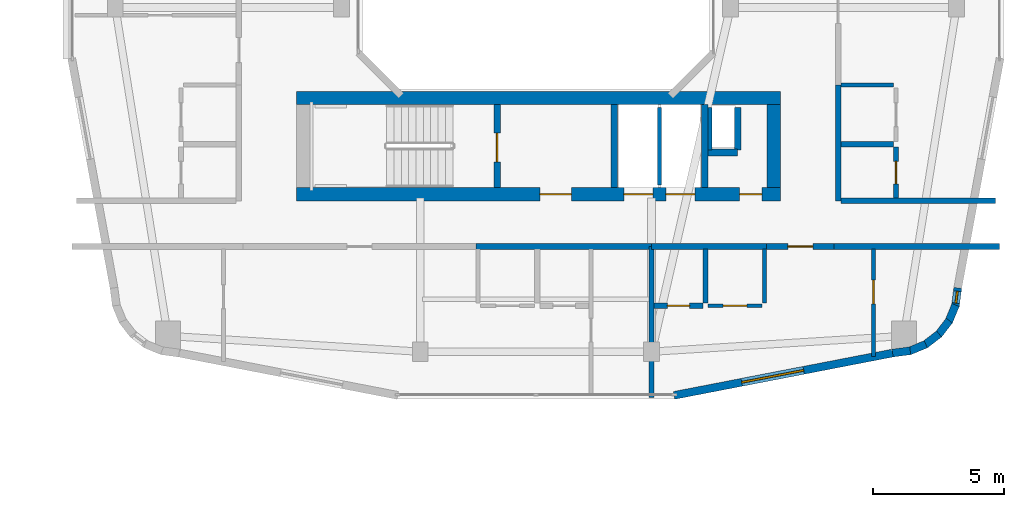
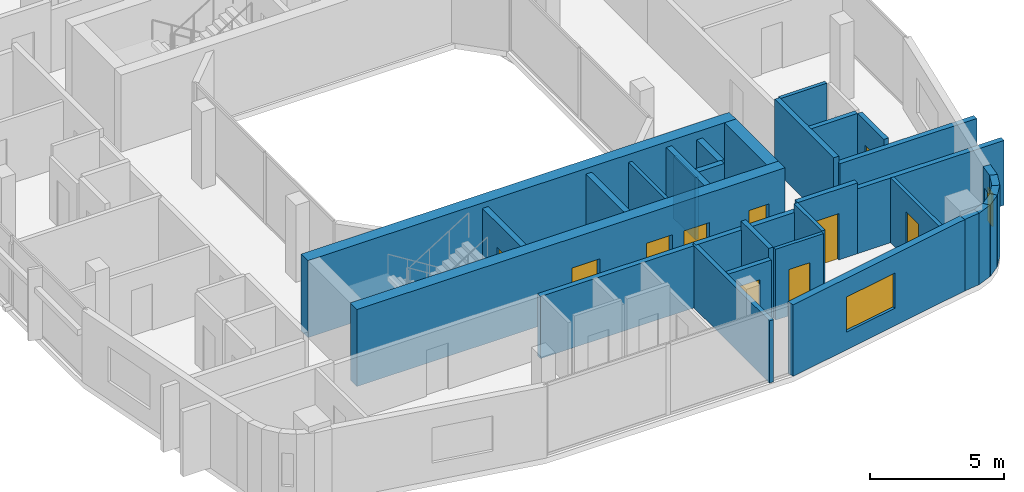
# One storey, part 17 of 25: 32 walls, 10 doors, 2 windows, 12 openings.
"""IFC4 building model written with IfcOpenShell, lengths in metres."""

from ifc_helpers import new_model, si_unit, derived_unit, direction, frame, frame_2d, origin, place, context, subcontext, project, spatial, rectangle, extrude, material, layer, layer_set, type_object, element, fill, save


model = new_model("IFC4")

# Units and contexts
model_context = context("Model", 3, precision=1e-05, world=origin(), true_north=direction((0.0, 1.0)))
body_context = subcontext(model_context, "Body", "Model", "MODEL_VIEW")
ifc_project = project(units=[si_unit("LENGTHUNIT", "METRE"), si_unit("AREAUNIT", "SQUARE_METRE"), si_unit("VOLUMEUNIT", "CUBIC_METRE"), si_unit("PLANEANGLEUNIT", "RADIAN"), si_unit("MASSUNIT", "GRAM", prefix="KILO"), derived_unit("THERMALTRANSMITTANCEUNIT", [(si_unit("POWERUNIT", "WATT"), 1), (si_unit("LENGTHUNIT", "METRE"), -2), (si_unit("THERMODYNAMICTEMPERATUREUNIT", "KELVIN"), -1)])], contexts=[model_context])

# Site, building, storey
site_placement = place(None, origin())
site = spatial("IfcSite", under=ifc_project, at=site_placement, CompositionType="ELEMENT")
building_placement = place(site_placement, origin())
building = spatial("IfcBuilding", under=site, at=building_placement, Name="Kivonza Crest Hotel", CompositionType="ELEMENT")
storey_placement = place(building_placement, frame((0.0, 0.0, 83.5)))
storey = spatial("IfcBuildingStorey", under=building, at=storey_placement, Name="L22", CompositionType="ELEMENT", Elevation=83.5)

# Walls
ifc_material_1 = material(Name="High-density acoustic masonry inter-tenancy wall", Category="masonry")
ifc_layer_1 = layer(ifc_material_1, 0.179931640625)
ifc_layer_set_1 = layer_set([ifc_layer_1], Name="High-density acoustic masonry inter-tenancy wall")
wall_type_1 = type_object("IfcWallType", Name="WL-ACOU-180", PredefinedType="SOLIDWALL", material=ifc_layer_set_1)
wall_1_placement = place(storey_placement, frame((81.39990234375, 6.659912109375, 0.0), z_axis=(0.0, 0.0, 1.0), x_axis=(0.0, 1.0, 0.0)))
element("IfcWall", 1, at=wall_1_placement, inside=storey, type_object=wall_type_1, Name="L22 interior partition WA-L22-T2S-DIV1", PredefinedType="SOLIDWALL", context=body_context, shape_type="SweptSolid", body=[
    extrude(rectangle(XDim=5.739990234375, YDim=0.179931640625, at=frame_2d((2.8701171875, 0.0))), origin(), (0.0, 0.0, 1.0), 2.824951171875),
])
ifc_material_2 = material(Name="Autoclaved aerated concrete blockwork", Category="masonry")
ifc_layer_2 = layer(ifc_material_2, 0.219970703125)
ifc_layer_set_2 = layer_set([ifc_layer_2], Name="Autoclaved aerated concrete blockwork")
wall_type_2 = type_object("IfcWallType", Name="WL-ACOU-220", PredefinedType="SOLIDWALL", material=ifc_layer_set_2)
wall_2_placement = place(storey_placement, frame((74.719970703125, 12.39990234375, 0.0), z_axis=(0.0, 0.0, 1.0), x_axis=(1.0, 0.0, 0.0)))
element("IfcWall", 2, at=wall_2_placement, inside=storey, type_object=wall_type_2, Name="L22 interior partition WA-L22-A03-RCORR", PredefinedType="SOLIDWALL", context=body_context, shape_type="SweptSolid", body=[
    extrude(rectangle(XDim=6.679931640625, YDim=0.219970703125, at=frame_2d((3.33984375, 0.0))), origin(), (0.0, 0.0, 1.0), 2.824951171875),
])
wall_3_placement = place(storey_placement, frame((81.39990234375, 12.39990234375, 0.0), z_axis=(0.0, 0.0, 1.0), x_axis=(1.0, 0.0, 0.0)))
element("IfcWall", 3, at=wall_3_placement, inside=storey, type_object=wall_type_2, Name="L22 interior partition WA-L22-A04-LCORR", PredefinedType="SOLIDWALL", context=body_context, shape_type="SweptSolid", body=[
    extrude(rectangle(XDim=4.380126953125, YDim=0.219970703125, at=frame_2d((2.18994140625, 0.0))), origin(), (0.0, 0.0, 1.0), 2.824951171875),
])
wall_4_placement = place(storey_placement, frame((88.35009765625, 12.39990234375, 0.0), z_axis=(0.0, 0.0, 1.0), x_axis=(1.0, 0.0, 0.0)))
element("IfcWall", 4, at=wall_4_placement, inside=storey, type_object=wall_type_2, Name="L22 interior partition WA-L22-A04-RCORR", PredefinedType="SOLIDWALL", context=body_context, shape_type="SweptSolid", body=[
    extrude(rectangle(XDim=6.289794921875, YDim=0.219970703125, at=frame_2d((3.14501953125, 0.0))), origin(), (0.0, 0.0, 1.0), 2.945068359375),
])

# Wall, opening, door
wall_5_placement = place(storey_placement, frame((85.780029296875, 12.39990234375, 0.0), z_axis=(0.0, 0.0, 1.0), x_axis=(1.0, 0.0, 0.0)))
wall_5 = element("IfcWall", 5, at=wall_5_placement, inside=storey, type_object=wall_type_2, Name="L22 interior partition WA-L22-A04-MCORR", PredefinedType="SOLIDWALL", context=body_context, shape_type="SweptSolid", body=[
    extrude(rectangle(XDim=2.570068359375, YDim=0.219970703125, at=frame_2d((1.28515625, 0.0))), origin(), (0.0, 0.0, 1.0), 3.219970703125),
])
opening_1_placement = place(wall_5_placement, frame((0.81005859375, 0.0, 0.0)))
opening_1 = element("IfcOpeningElement", 6, at=opening_1_placement, cuts=wall_5, Name="Opening DU-60", PredefinedType="OPENING", context=body_context, shape_type="SweptSolid", body=[
    extrude(rectangle(XDim=0.949951171875, YDim=2.10009765625, at=frame_2d((0.47509765625, 1.050048828125))), frame((0.0, 0.1201171875, 0.0), z_axis=(0.0, -1.0, 0.0), x_axis=(1.0, 0.0, 0.0)), (0.0, 0.0, 1.0), 0.239990234375),
])
ifc_material_3 = material(Name="Hardwood timber oak", Category="wood")
door_type_1 = type_object("IfcDoorType", Name="DR-UNIT-950", OperationType="NOTDEFINED", PredefinedType="DOOR", material=ifc_material_3)
door_1_placement = place(opening_1_placement, frame((0.949951171875, 0.0, 0.0), z_axis=(0.0, 0.0, 1.0), x_axis=(-1.0, 0.0, 0.0)))
door_1 = element("IfcDoor", 7, at=door_1_placement, inside=storey, type_object=door_type_1, Name="L22 A04 apartment entrance fire door", OperationType="SINGLE_SWING_RIGHT", OverallHeight=2.10009765625, OverallWidth=0.949951171875, PredefinedType="DOOR", context=body_context, shape_type="SweptSolid", body=[
    extrude(rectangle(XDim=0.949951171875, YDim=2.10009765625, at=frame_2d((0.47509765625, 1.050048828125))), frame((0.0, 0.02490234375, 0.0), z_axis=(0.0, -1.0, 0.0), x_axis=(1.0, 0.0, 0.0)), (0.0, 0.0, 1.0), 0.050048828125),
])
fill(opening_1, door_1)

# Walls
wall_6_placement = place(storey_placement, frame((88.60009765625, 14.139892578125, 0.0), z_axis=(0.0, 0.0, 1.0), x_axis=(1.0, 0.0, 0.0)))
element("IfcWall", 8, at=wall_6_placement, inside=storey, type_object=wall_type_2, Name="L22 interior partition WA-L22-T2E-ENDS", PredefinedType="SOLIDWALL", context=body_context, shape_type="SweptSolid", body=[
    extrude(rectangle(XDim=5.8798828125, YDim=0.219970703125, at=frame_2d((2.93994140625, 0.0))), origin(), (0.0, 0.0, 1.0), 2.945068359375),
])
wall_7_placement = place(storey_placement, frame((88.5, 14.139892578125, 0.0), z_axis=(0.0, 0.0, 1.0), x_axis=(0.0, 1.0, 0.0)))
element("IfcWall", 9, at=wall_7_placement, inside=storey, type_object=wall_type_2, Name="L22 interior partition WA-L22-A07-BCORR", PredefinedType="SOLIDWALL", context=body_context, shape_type="SweptSolid", body=[
    extrude(rectangle(XDim=4.400146484375, YDim=0.219970703125, at=frame_2d((2.2001953125, 0.0))), origin(), (0.0, 0.0, 1.0), 3.219970703125),
])

# Wall, openings, doors
ifc_material_4 = material(Name="Concrete C60/75", Category="concrete")
ifc_layer_3 = layer(ifc_material_4, 0.5)
ifc_layer_set_3 = layer_set([ifc_layer_3], Name="Concrete C60/75")
wall_type_3 = type_object("IfcWallType", Name="WL-CORE-500", PredefinedType="SHEAR", material=ifc_layer_set_3)
wall_8_placement = place(storey_placement, frame((67.89990234375, 14.389892578125, 0.0), z_axis=(0.0, 0.0, 1.0), x_axis=(1.0, 0.0, 0.0)))
wall_8 = element("IfcWall", 10, at=wall_8_placement, inside=storey, type_object=wall_type_3, Name="Core wall T2-S South L22", PredefinedType="SHEAR", context=body_context, shape_type="SweptSolid", body=[
    extrude(rectangle(XDim=18.400146484375, YDim=0.5, at=frame_2d((9.2001953125, 0.0))), origin(), (0.0, 0.0, 1.0), 3.5),
])
opening_2_placement = place(wall_8_placement, frame((9.25, 0.0, 0.0)))
opening_2 = element("IfcOpeningElement", 11, at=opening_2_placement, cuts=wall_8, Name="Opening DF-60", PredefinedType="OPENING", context=body_context, shape_type="SweptSolid", body=[
    extrude(rectangle(XDim=1.199951171875, YDim=2.14990234375, at=frame_2d((0.60009765625, 1.074951171875))), frame((0.0, 0.260009765625, 0.0), z_axis=(0.0, -1.0, 0.0), x_axis=(1.0, 0.0, 0.0)), (0.0, 0.0, 1.0), 0.52001953125),
])
opening_3_placement = place(wall_8_placement, frame((16.85009765625, 0.0, 0.0)))
opening_3 = element("IfcOpeningElement", 12, at=opening_3_placement, cuts=wall_8, Name="Opening DF-60R", PredefinedType="OPENING", context=body_context, shape_type="SweptSolid", body=[
    extrude(rectangle(XDim=0.85009765625, YDim=2.10009765625, at=frame_2d((0.425048828125, 1.050048828125))), frame((0.0, 0.260009765625, 0.0), z_axis=(0.0, -1.0, 0.0), x_axis=(1.0, 0.0, 0.0)), (0.0, 0.0, 1.0), 0.52001953125),
])
opening_4_placement = place(wall_8_placement, frame((12.449951171875, 0.0, 0.0)))
opening_4 = element("IfcOpeningElement", 13, at=opening_4_placement, cuts=wall_8, Name="Opening LD-120", PredefinedType="OPENING", context=body_context, shape_type="SweptSolid", body=[
    extrude(rectangle(XDim=1.10009765625, YDim=2.14990234375, at=frame_2d((0.550048828125, 1.074951171875))), frame((0.0, 0.260009765625, 0.0), z_axis=(0.0, -1.0, 0.0), x_axis=(1.0, 0.0, 0.0)), (0.0, 0.0, 1.0), 0.52001953125),
])
opening_5_placement = place(wall_8_placement, frame((14.050048828125, 0.0, 0.0)))
opening_5 = element("IfcOpeningElement", 14, at=opening_5_placement, cuts=wall_8, Name="Opening LD-120", PredefinedType="OPENING", context=body_context, shape_type="SweptSolid", body=[
    extrude(rectangle(XDim=1.10009765625, YDim=2.14990234375, at=frame_2d((0.550048828125, 1.074951171875))), frame((0.0, 0.260009765625, 0.0), z_axis=(0.0, -1.0, 0.0), x_axis=(1.0, 0.0, 0.0)), (0.0, 0.0, 1.0), 0.52001953125),
])
door_type_2 = type_object("IfcDoorType", Name="DR-FD60-1200", OperationType="NOTDEFINED", PredefinedType="DOOR", material=ifc_material_3)
door_2_placement = place(opening_2_placement, frame((1.199951171875, 0.0, 0.0), z_axis=(0.0, 0.0, 1.0), x_axis=(-1.0, 0.0, 0.0)))
door_2 = element("IfcDoor", 15, at=door_2_placement, inside=storey, type_object=door_type_2, Name="L22 T2-S firefighting lobby fire door", OperationType="SINGLE_SWING_LEFT", OverallHeight=2.14990234375, OverallWidth=1.199951171875, PredefinedType="DOOR", context=body_context, shape_type="SweptSolid", body=[
    extrude(rectangle(XDim=1.199951171875, YDim=2.14990234375, at=frame_2d((0.60009765625, 1.074951171875))), frame((0.0, 0.02490234375, 0.0), z_axis=(0.0, -1.0, 0.0), x_axis=(1.0, 0.0, 0.0)), (0.0, 0.0, 1.0), 0.050048828125),
])
fill(opening_2, door_2)
door_type_3 = type_object("IfcDoorType", Name="DR-FD60-850", OperationType="NOTDEFINED", PredefinedType="DOOR", material=ifc_material_3)
door_3_placement = place(opening_3_placement, frame((0.85009765625, 0.0, 0.0), z_axis=(0.0, 0.0, 1.0), x_axis=(-1.0, 0.0, 0.0)))
door_3 = element("IfcDoor", 16, at=door_3_placement, inside=storey, type_object=door_type_3, Name="L22 T2-S core room door", OperationType="SINGLE_SWING_RIGHT", OverallHeight=2.10009765625, OverallWidth=0.85009765625, PredefinedType="DOOR", context=body_context, shape_type="SweptSolid", body=[
    extrude(rectangle(XDim=0.85009765625, YDim=2.10009765625, at=frame_2d((0.425048828125, 1.050048828125))), frame((0.0, 0.02490234375, 0.0), z_axis=(0.0, -1.0, 0.0), x_axis=(1.0, 0.0, 0.0)), (0.0, 0.0, 1.0), 0.050048828125),
])
fill(opening_3, door_3)
ifc_material_5 = material(Name="Stainless steel", Category="steel")
door_type_4 = type_object("IfcDoorType", Name="DR-LD120-1100", OperationType="NOTDEFINED", PredefinedType="DOOR", material=ifc_material_5)
door_4_placement = place(opening_4_placement, frame((1.10009765625, 0.0, 0.0), z_axis=(0.0, 0.0, 1.0), x_axis=(-1.0, 0.0, 0.0)))
door_4 = element("IfcDoor", 17, at=door_4_placement, inside=storey, type_object=door_type_4, Name="L22 PL-T2-1 passenger lift sliding landing door", OperationType="DOUBLE_DOOR_SLIDING", OverallHeight=2.14990234375, OverallWidth=1.10009765625, PredefinedType="DOOR", context=body_context, shape_type="SweptSolid", body=[
    extrude(rectangle(XDim=1.10009765625, YDim=2.14990234375, at=frame_2d((0.550048828125, 1.074951171875))), frame((0.0, 0.02490234375, 0.0), z_axis=(0.0, -1.0, 0.0), x_axis=(1.0, 0.0, 0.0)), (0.0, 0.0, 1.0), 0.050048828125),
])
fill(opening_4, door_4)
door_5_placement = place(opening_5_placement, frame((1.10009765625, 0.0, 0.0), z_axis=(0.0, 0.0, 1.0), x_axis=(-1.0, 0.0, 0.0)))
door_5 = element("IfcDoor", 18, at=door_5_placement, inside=storey, type_object=door_type_4, Name="L22 PL-T2-2 passenger lift sliding landing door", OperationType="DOUBLE_DOOR_SLIDING", OverallHeight=2.14990234375, OverallWidth=1.10009765625, PredefinedType="DOOR", context=body_context, shape_type="SweptSolid", body=[
    extrude(rectangle(XDim=1.10009765625, YDim=2.14990234375, at=frame_2d((0.550048828125, 1.074951171875))), frame((0.0, 0.02490234375, 0.0), z_axis=(0.0, -1.0, 0.0), x_axis=(1.0, 0.0, 0.0)), (0.0, 0.0, 1.0), 0.050048828125),
])
fill(opening_5, door_5)

# Walls
wall_9_placement = place(storey_placement, frame((67.89990234375, 18.050048828125, 0.0), z_axis=(0.0, 0.0, 1.0), x_axis=(1.0, 0.0, 0.0)))
element("IfcWall", 19, at=wall_9_placement, inside=storey, type_object=wall_type_3, Name="Core wall T2-S North L22", PredefinedType="SHEAR", context=body_context, shape_type="SweptSolid", body=[
    extrude(rectangle(XDim=18.400146484375, YDim=0.5, at=frame_2d((9.2001953125, 0.0))), origin(), (0.0, 0.0, 1.0), 3.5),
])
wall_10_placement = place(storey_placement, frame((86.050048828125, 14.639892578125, 0.0), z_axis=(0.0, 0.0, 1.0), x_axis=(0.0, 1.0, 0.0)))
element("IfcWall", 20, at=wall_10_placement, inside=storey, type_object=wall_type_3, Name="Core wall T2-S East L22", PredefinedType="SHEAR", context=body_context, shape_type="SweptSolid", body=[
    extrude(rectangle(XDim=3.16015625, YDim=0.5, at=frame_2d((1.580078125, 0.0))), origin(), (0.0, 0.0, 1.0), 3.5),
])

# Wall, opening, window
ifc_material_6 = material(Name="Precast concrete C40/50", Category="concrete")
ifc_layer_4 = layer(ifc_material_6, 0.300048828125)
ifc_layer_set_4 = layer_set([ifc_layer_4], Name="Precast concrete C40/50")
wall_type_4 = type_object("IfcWallType", Name="WL-EXT-300", PredefinedType="STANDARD", material=ifc_layer_set_4)
wall_11_placement = place(storey_placement, frame((82.257080078125, 6.737060546875, 0.0), z_axis=(0.0, 0.0, 1.0), x_axis=(0.981750199588, 0.190175039396, 0.0)))
wall_11 = element("IfcWall", 21, at=wall_11_placement, inside=storey, type_object=wall_type_4, Name="L22 T2 exterior insulated wall 9", PredefinedType="STANDARD", context=body_context, shape_type="SweptSolid", body=[
    extrude(rectangle(XDim=8.476806640625, YDim=0.300048828125, at=frame_2d((4.23828125, 0.0))), origin(), (0.0, 0.0, 1.0), 3.25),
])
opening_6_placement = place(wall_11_placement, frame((2.623046875, 0.0, 0.800048828125)))
opening_6 = element("IfcOpeningElement", 22, at=opening_6_placement, cuts=wall_11, Name="Opening WN-05", PredefinedType="OPENING", context=body_context, shape_type="SweptSolid", body=[
    extrude(rectangle(XDim=2.39990234375, YDim=1.60009765625, at=frame_2d((1.199951171875, 0.800048828125))), frame((0.0, 0.16015625, 0.0), z_axis=(0.0, -1.0, 0.0), x_axis=(1.0, 0.0, 0.0)), (0.0, 0.0, 1.0), 0.320068359375),
])
ifc_material_7 = material(Name="Thermally broken bronze aluminium and low-E double glazing", Category="aluminium")
window_type_1 = type_object("IfcWindowType", Name="WN-240x160", PartitioningType="TRIPLE_PANEL_VERTICAL", PredefinedType="WINDOW", material=ifc_material_7)
window_1_placement = place(opening_6_placement, origin())
window_1 = element("IfcWindow", 23, at=window_1_placement, inside=storey, type_object=window_type_1, Name="L22 T2 facade window 9", OverallHeight=1.60009765625, OverallWidth=2.39990234375, PartitioningType="SINGLE_PANEL", PredefinedType="WINDOW", context=body_context, shape_type="SweptSolid", body=[
    extrude(rectangle(XDim=2.39990234375, YDim=1.60009765625, at=frame_2d((1.199951171875, 0.800048828125))), frame((0.0, 0.030029296875, 0.0), z_axis=(0.0, -1.0, 0.0), x_axis=(1.0, 0.0, 0.0)), (0.0, 0.0, 1.0), 0.06005859375),
])
fill(opening_6, window_1)

# Walls
wall_12_placement = place(storey_placement, frame((90.572021484375, 8.347900390625, 0.0), z_axis=(0.0, 0.0, 1.0), x_axis=(0.991293937098, 0.131667498923, 0.0)))
element("IfcWall", 24, at=wall_12_placement, inside=storey, type_object=wall_type_4, Name="L22 T2 exterior insulated wall 10", PredefinedType="STANDARD", context=body_context, shape_type="SweptSolid", body=[
    extrude(rectangle(XDim=0.6767578125, YDim=0.300048828125, at=frame_2d((0.33837890625, 0.0))), origin(), (0.0, 0.0, 1.0), 3.25),
])
wall_13_placement = place(storey_placement, frame((91.193115234375, 8.41796875, 0.0), z_axis=(0.0, 0.0, 1.0), x_axis=(0.924042561464, 0.382289608286, 0.0)))
element("IfcWall", 25, at=wall_13_placement, inside=storey, type_object=wall_type_4, Name="L22 T2 exterior insulated wall 11", PredefinedType="STANDARD", context=body_context, shape_type="SweptSolid", body=[
    extrude(rectangle(XDim=0.693603515625, YDim=0.300048828125, at=frame_2d((0.3466796875, 0.0))), origin(), (0.0, 0.0, 1.0), 3.25),
])
for number, where, z_axis, x_axis, name in (
    (26, (91.7890625, 8.652099609375, 0.0), (0.0, 0.0, 1.0), (0.792807092876, 0.609472651958, 0.0), "L22 T2 exterior insulated wall 12"),
    (27, (92.303955078125, 9.032958984375, 0.0), (0.0, 0.0, 1.0), (0.609693758543, 0.792637067512, 0.0), "L22 T2 exterior insulated wall 13"),
    (28, (92.702880859375, 9.533935546875, 0.0), (0.0, 0.0, 1.0), (0.382165294877, 0.924093981904, 0.0), "L22 T2 exterior insulated wall 14"),
):
    element("IfcWall", number, at=place(storey_placement, frame(where, z_axis=z_axis, x_axis=x_axis)), inside=storey, type_object=wall_type_4, Name=name, PredefinedType="STANDARD", context=body_context, shape_type="SweptSolid", body=[
        extrude(rectangle(XDim=0.69384765625, YDim=0.300048828125, at=frame_2d((0.346923828125, 0.0))), origin(), (0.0, 0.0, 1.0), 3.25),
    ])

# Wall, opening, window
wall_14_placement = place(storey_placement, frame((92.958984375, 10.1220703125, 0.0), z_axis=(0.0, 0.0, 1.0), x_axis=(0.130658543777, 0.991427427974, 0.0)))
wall_14 = element("IfcWall", 29, at=wall_14_placement, inside=storey, type_object=wall_type_4, Name="L22 T2 exterior insulated wall 15", PredefinedType="STANDARD", context=body_context, shape_type="SweptSolid", body=[
    extrude(rectangle(XDim=0.7119140625, YDim=0.300048828125, at=frame_2d((0.35595703125, 0.0))), origin(), (0.0, 0.0, 1.0), 3.25),
])
opening_7_placement = place(wall_14_placement, frame((0.131103515625, 0.0, 0.85009765625)))
opening_7 = element("IfcOpeningElement", 30, at=opening_7_placement, cuts=wall_14, Name="Opening WN-11", PredefinedType="OPENING", context=body_context, shape_type="SweptSolid", body=[
    extrude(rectangle(XDim=0.449951171875, YDim=1.5, at=frame_2d((0.22509765625, 0.75))), frame((0.0, 0.16015625, 0.0), z_axis=(0.0, -1.0, 0.0), x_axis=(1.0, 0.0, 0.0)), (0.0, 0.0, 1.0), 0.320068359375),
])
window_type_2 = type_object("IfcWindowType", Name="WN-045x150", PartitioningType="SINGLE_PANEL", PredefinedType="WINDOW", material=ifc_material_7)
window_2_placement = place(opening_7_placement, origin())
window_2 = element("IfcWindow", 31, at=window_2_placement, inside=storey, type_object=window_type_2, Name="L22 corner vision window 4", OverallHeight=1.5, OverallWidth=0.449951171875, PartitioningType="SINGLE_PANEL", PredefinedType="WINDOW", context=body_context, shape_type="SweptSolid", body=[
    extrude(rectangle(XDim=0.449951171875, YDim=1.5, at=frame_2d((0.22509765625, 0.75))), frame((0.0, 0.030029296875, 0.0), z_axis=(0.0, -1.0, 0.0), x_axis=(1.0, 0.0, 0.0)), (0.0, 0.0, 1.0), 0.06005859375),
])
fill(opening_7, window_2)

# Walls
ifc_material_8 = material(Name="Concrete blockwork fire-compartment wall", Category="masonry")
ifc_layer_5 = layer(ifc_material_8, 0.25)
ifc_layer_set_5 = layer_set([ifc_layer_5], Name="Concrete blockwork fire-compartment wall")
wall_type_5 = type_object("IfcWallType", Name="WL-FIRE-250", PredefinedType="SOLIDWALL", material=ifc_layer_set_5)
wall_15_placement = place(storey_placement, frame((84.679931640625, 16.080078125, 0.0), z_axis=(0.0, 0.0, 1.0), x_axis=(0.0, 1.0, 0.0)))
element("IfcWall", 32, at=wall_15_placement, inside=storey, type_object=wall_type_5, Name="L22 interior partition WA-L22-T2-S-MEPR-E", PredefinedType="SOLIDWALL", context=body_context, shape_type="SweptSolid", body=[
    extrude(rectangle(XDim=1.619873046875, YDim=0.25, at=frame_2d((0.81005859375, 0.0))), origin(), (0.0, 0.0, 1.0), 3.219970703125),
])
wall_16_placement = place(storey_placement, frame((83.550048828125, 15.97998046875, 0.0), z_axis=(0.0, 0.0, 1.0), x_axis=(1.0, 0.0, 0.0)))
element("IfcWall", 33, at=wall_16_placement, inside=storey, type_object=wall_type_5, Name="L22 interior partition WA-L22-T2-S-MEPR-H", PredefinedType="SOLIDWALL", context=body_context, shape_type="SweptSolid", body=[
    extrude(rectangle(XDim=1.1298828125, YDim=0.25, at=frame_2d((0.56494140625, 0.0))), origin(), (0.0, 0.0, 1.0), 3.219970703125),
])
ifc_material_9 = material(Name="Twin-stud acoustic gypsum board partition", Category="gypsum")
ifc_layer_6 = layer(ifc_material_9, 0.14990234375)
ifc_layer_set_6 = layer_set([ifc_layer_6], Name="Twin-stud acoustic gypsum board partition")
wall_type_6 = type_object("IfcWallType", Name="WL-PART-150", PredefinedType="PARTITIONING", material=ifc_layer_set_6)
wall_17_placement = place(storey_placement, frame((83.6298828125, 16.080078125, 0.0), z_axis=(0.0, 0.0, 1.0), x_axis=(0.0, 1.0, 0.0)))
element("IfcWall", 34, at=wall_17_placement, inside=storey, type_object=wall_type_6, Name="L22 interior partition WA-L22-T2-S-MEPR-W", PredefinedType="PARTITIONING", context=body_context, shape_type="SweptSolid", body=[
    extrude(rectangle(XDim=1.619873046875, YDim=0.14990234375, at=frame_2d((0.81005859375, 0.0))), origin(), (0.0, 0.0, 1.0), 2.824951171875),
])
wall_18_placement = place(storey_placement, frame((81.699951171875, 14.739990234375, 0.0), z_axis=(0.0, 0.0, 1.0), x_axis=(0.0, 1.0, 0.0)))
element("IfcWall", 35, at=wall_18_placement, inside=storey, type_object=wall_type_6, Name="L22 interior partition WP-L22-T2-S-BSH-1", PredefinedType="PARTITIONING", context=body_context, shape_type="SweptSolid", body=[
    extrude(rectangle(XDim=2.9599609375, YDim=0.14990234375, at=frame_2d((1.47998046875, 0.0))), origin(), (0.0, 0.0, 1.0), 3.219970703125),
])

# Wall, opening, door
wall_19_placement = place(storey_placement, frame((89.840087890625, 8.214111328125, 0.0), z_axis=(0.0, 0.0, 1.0), x_axis=(0.0, 1.0, 0.0)))
wall_19 = element("IfcWall", 36, at=wall_19_placement, inside=storey, type_object=wall_type_6, Name="L22 interior partition WP-L22-A04-BDW1", PredefinedType="PARTITIONING", context=body_context, shape_type="SweptSolid", body=[
    extrude(rectangle(XDim=4.0859375, YDim=0.14990234375, at=frame_2d((2.04296875, 0.0))), origin(), (0.0, 0.0, 1.0), 2.945068359375),
])
opening_8_placement = place(wall_19_placement, frame((2.010009765625, 0.0, 0.0)))
opening_8 = element("IfcOpeningElement", 37, at=opening_8_placement, cuts=wall_19, Name="Opening DI-90", PredefinedType="OPENING", context=body_context, shape_type="SweptSolid", body=[
    extrude(rectangle(XDim=0.89990234375, YDim=2.10009765625, at=frame_2d((0.449951171875, 1.050048828125))), frame((0.0, 0.0849609375, 0.0), z_axis=(0.0, -1.0, 0.0), x_axis=(1.0, 0.0, 0.0)), (0.0, 0.0, 1.0), 0.169921875),
])
door_type_5 = type_object("IfcDoorType", Name="DR-INT-900", OperationType="NOTDEFINED", PredefinedType="DOOR", material=ifc_material_3)
door_6_placement = place(opening_8_placement, origin())
door_6 = element("IfcDoor", 38, at=door_6_placement, inside=storey, type_object=door_type_5, Name="L22 A04 bedroom 1 door", OperationType="SINGLE_SWING_LEFT", OverallHeight=2.10009765625, OverallWidth=0.89990234375, PredefinedType="DOOR", context=body_context, shape_type="SweptSolid", body=[
    extrude(rectangle(XDim=0.89990234375, YDim=2.10009765625, at=frame_2d((0.449951171875, 1.050048828125))), frame((0.0, 0.02490234375, 0.0), z_axis=(0.0, -1.0, 0.0), x_axis=(1.0, 0.0, 0.0)), (0.0, 0.0, 1.0), 0.050048828125),
])
fill(opening_8, door_6)

# Wall
wall_20_placement = place(storey_placement, frame((85.699951171875, 10.25, 0.0), z_axis=(0.0, 0.0, 1.0), x_axis=(0.0, 1.0, 0.0)))
element("IfcWall", 39, at=wall_20_placement, inside=storey, type_object=wall_type_6, Name="L22 interior partition WP-L22-A04-KF", PredefinedType="PARTITIONING", context=body_context, shape_type="SweptSolid", body=[
    extrude(rectangle(XDim=2.050048828125, YDim=0.14990234375, at=frame_2d((1.02490234375, 0.0))), origin(), (0.0, 0.0, 1.0), 3.219970703125),
])

# Wall, opening, door
wall_21_placement = place(storey_placement, frame((83.550048828125, 10.14990234375, 0.0), z_axis=(0.0, 0.0, 1.0), x_axis=(1.0, 0.0, 0.0)))
wall_21 = element("IfcWall", 40, at=wall_21_placement, inside=storey, type_object=wall_type_6, Name="L22 interior partition WP-L22-A04-KSVC", PredefinedType="PARTITIONING", context=body_context, shape_type="SweptSolid", body=[
    extrude(rectangle(XDim=2.050048828125, YDim=0.14990234375, at=frame_2d((1.02490234375, 0.0))), origin(), (0.0, 0.0, 1.0), 3.219970703125),
])
opening_9_placement = place(wall_21_placement, frame((0.574951171875, 0.0, 0.0)))
opening_9 = element("IfcOpeningElement", 41, at=opening_9_placement, cuts=wall_21, Name="Opening DI-90", PredefinedType="OPENING", context=body_context, shape_type="SweptSolid", body=[
    extrude(rectangle(XDim=0.89990234375, YDim=2.10009765625, at=frame_2d((0.449951171875, 1.050048828125))), frame((0.0, 0.0849609375, 0.0), z_axis=(0.0, -1.0, 0.0), x_axis=(1.0, 0.0, 0.0)), (0.0, 0.0, 1.0), 0.169921875),
])
door_7_placement = place(opening_9_placement, frame((0.89990234375, 0.0, 0.0), z_axis=(0.0, 0.0, 1.0), x_axis=(-1.0, 0.0, 0.0)))
door_7 = element("IfcDoor", 42, at=door_7_placement, inside=storey, type_object=door_type_5, Name="L22 A04 apartment kitchen door", OperationType="SINGLE_SWING_RIGHT", OverallHeight=2.10009765625, OverallWidth=0.89990234375, PredefinedType="DOOR", context=body_context, shape_type="SweptSolid", body=[
    extrude(rectangle(XDim=0.89990234375, YDim=2.10009765625, at=frame_2d((0.449951171875, 1.050048828125))), frame((0.0, 0.02490234375, 0.0), z_axis=(0.0, -1.0, 0.0), x_axis=(1.0, 0.0, 0.0)), (0.0, 0.0, 1.0), 0.050048828125),
])
fill(opening_9, door_7)

# Walls
wall_22_placement = place(storey_placement, frame((88.60009765625, 18.5400390625, 0.0), z_axis=(0.0, 0.0, 1.0), x_axis=(1.0, 0.0, 0.0)))
element("IfcWall", 43, at=wall_22_placement, inside=storey, type_object=wall_type_6, Name="L22 interior partition WP-L22-A07-KF", PredefinedType="PARTITIONING", context=body_context, shape_type="SweptSolid", body=[
    extrude(rectangle(XDim=2.0, YDim=0.14990234375, at=frame_2d((1.0, 0.0))), origin(), (0.0, 0.0, 1.0), 3.219970703125),
])
ifc_material_10 = material(Name="Moisture-resistant plumbing chase partition wall", Category="gypsum")
ifc_layer_7 = layer(ifc_material_10, 0.199951171875)
ifc_layer_set_7 = layer_set([ifc_layer_7], Name="Moisture-resistant plumbing chase partition wall")
wall_type_7 = type_object("IfcWallType", Name="WL-PLUMB-200", PredefinedType="PLUMBINGWALL", material=ifc_layer_set_7)
wall_23_placement = place(storey_placement, frame((83.449951171875, 10.25, 0.0), z_axis=(0.0, 0.0, 1.0), x_axis=(0.0, 1.0, 0.0)))
element("IfcWall", 44, at=wall_23_placement, inside=storey, type_object=wall_type_7, Name="L22 interior partition WW-L22-A04-BK", PredefinedType="PLUMBINGWALL", context=body_context, shape_type="SweptSolid", body=[
    extrude(rectangle(XDim=2.050048828125, YDim=0.199951171875, at=frame_2d((1.02490234375, 0.0))), origin(), (0.0, 0.0, 1.0), 3.219970703125),
])

# Wall, opening, door
wall_24_placement = place(storey_placement, frame((81.5, 10.14990234375, 0.0), z_axis=(0.0, 0.0, 1.0), x_axis=(1.0, 0.0, 0.0)))
wall_24 = element("IfcWall", 45, at=wall_24_placement, inside=storey, type_object=wall_type_7, Name="L22 interior partition WW-L22-A04-BSVC", PredefinedType="PLUMBINGWALL", context=body_context, shape_type="SweptSolid", body=[
    extrude(rectangle(XDim=1.85009765625, YDim=0.199951171875, at=frame_2d((0.925048828125, 0.0))), origin(), (0.0, 0.0, 1.0), 2.824951171875),
])
opening_10_placement = place(wall_24_placement, frame((0.5, 0.0, 0.0)))
opening_10 = element("IfcOpeningElement", 46, at=opening_10_placement, cuts=wall_24, Name="Opening DI-85", PredefinedType="OPENING", context=body_context, shape_type="SweptSolid", body=[
    extrude(rectangle(XDim=0.85009765625, YDim=2.10009765625, at=frame_2d((0.425048828125, 1.050048828125))), frame((0.0, 0.10986328125, 0.0), z_axis=(0.0, -1.0, 0.0), x_axis=(1.0, 0.0, 0.0)), (0.0, 0.0, 1.0), 0.219970703125),
])
door_type_6 = type_object("IfcDoorType", Name="DR-INT-850", OperationType="NOTDEFINED", PredefinedType="DOOR", material=ifc_material_3)
door_8_placement = place(opening_10_placement, frame((0.85009765625, 0.0, 0.0), z_axis=(0.0, 0.0, 1.0), x_axis=(-1.0, 0.0, 0.0)))
door_8 = element("IfcDoor", 47, at=door_8_placement, inside=storey, type_object=door_type_6, Name="L22 A04 apartment bathroom door", OperationType="SINGLE_SWING_LEFT", OverallHeight=2.10009765625, OverallWidth=0.85009765625, PredefinedType="DOOR", context=body_context, shape_type="SweptSolid", body=[
    extrude(rectangle(XDim=0.85009765625, YDim=2.10009765625, at=frame_2d((0.425048828125, 1.050048828125))), frame((0.0, 0.02490234375, 0.0), z_axis=(0.0, -1.0, 0.0), x_axis=(1.0, 0.0, 0.0)), (0.0, 0.0, 1.0), 0.050048828125),
])
fill(opening_10, door_8)

# Wall
wall_25_placement = place(storey_placement, frame((88.60009765625, 16.2900390625, 0.0), z_axis=(0.0, 0.0, 1.0), x_axis=(1.0, 0.0, 0.0)))
element("IfcWall", 48, at=wall_25_placement, inside=storey, type_object=wall_type_7, Name="L22 interior partition WW-L22-A07-BK", PredefinedType="PLUMBINGWALL", context=body_context, shape_type="SweptSolid", body=[
    extrude(rectangle(XDim=2.0, YDim=0.199951171875, at=frame_2d((1.0, 0.0))), origin(), (0.0, 0.0, 1.0), 3.219970703125),
])

# Wall, opening, door
wall_26_placement = place(storey_placement, frame((90.699951171875, 14.239990234375, 0.0), z_axis=(0.0, 0.0, 1.0), x_axis=(0.0, 1.0, 0.0)))
wall_26 = element("IfcWall", 49, at=wall_26_placement, inside=storey, type_object=wall_type_7, Name="L22 interior partition WW-L22-A07-BSVC", PredefinedType="PLUMBINGWALL", context=body_context, shape_type="SweptSolid", body=[
    extrude(rectangle(XDim=1.949951171875, YDim=0.199951171875, at=frame_2d((0.97509765625, 0.0))), origin(), (0.0, 0.0, 1.0), 3.219970703125),
])
opening_11_placement = place(wall_26_placement, frame((0.550048828125, 0.0, 0.0)))
opening_11 = element("IfcOpeningElement", 50, at=opening_11_placement, cuts=wall_26, Name="Opening DI-85", PredefinedType="OPENING", context=body_context, shape_type="SweptSolid", body=[
    extrude(rectangle(XDim=0.85009765625, YDim=2.10009765625, at=frame_2d((0.425048828125, 1.050048828125))), frame((0.0, 0.10986328125, 0.0), z_axis=(0.0, -1.0, 0.0), x_axis=(1.0, 0.0, 0.0)), (0.0, 0.0, 1.0), 0.219970703125),
])
door_9_placement = place(opening_11_placement, frame((0.85009765625, 0.0, 0.0), z_axis=(0.0, 0.0, 1.0), x_axis=(-1.0, 0.0, 0.0)))
door_9 = element("IfcDoor", 51, at=door_9_placement, inside=storey, type_object=door_type_6, Name="L22 A07 apartment bathroom door", OperationType="SINGLE_SWING_RIGHT", OverallHeight=2.10009765625, OverallWidth=0.85009765625, PredefinedType="DOOR", context=body_context, shape_type="SweptSolid", body=[
    extrude(rectangle(XDim=0.85009765625, YDim=2.10009765625, at=frame_2d((0.425048828125, 1.050048828125))), frame((0.0, 0.02490234375, 0.0), z_axis=(0.0, -1.0, 0.0), x_axis=(1.0, 0.0, 0.0)), (0.0, 0.0, 1.0), 0.050048828125),
])
fill(opening_11, door_9)

ifc_material_11 = material(Name="Concrete C50/60", Category="concrete")
ifc_layer_8 = layer(ifc_material_11, 0.25)
ifc_layer_set_8 = layer_set([ifc_layer_8], Name="Concrete C50/60")
wall_type_8 = type_object("IfcWallType", Name="WL-SHAFT-250", PredefinedType="STANDARD", material=ifc_layer_set_8)
wall_27_placement = place(storey_placement, frame((75.52490234375, 14.639892578125, 0.0), z_axis=(0.0, 0.0, 1.0), x_axis=(0.0, 1.0, 0.0)))
wall_27 = element("IfcWall", 52, at=wall_27_placement, inside=storey, type_object=wall_type_8, Name="Core shaft wall T2-S STAIR L22", PredefinedType="STANDARD", context=body_context, shape_type="SweptSolid", body=[
    extrude(rectangle(XDim=3.16015625, YDim=0.25, at=frame_2d((1.580078125, 0.0))), origin(), (0.0, 0.0, 1.0), 3.25),
])
opening_12_placement = place(wall_27_placement, frame((0.97998046875, 0.0, 0.0)))
opening_12 = element("IfcOpeningElement", 53, at=opening_12_placement, cuts=wall_27, Name="Opening DF-120", PredefinedType="OPENING", context=body_context, shape_type="SweptSolid", body=[
    extrude(rectangle(XDim=1.10009765625, YDim=2.14990234375, at=frame_2d((0.550048828125, 1.074951171875))), frame((0.0, 0.135009765625, 0.0), z_axis=(0.0, -1.0, 0.0), x_axis=(1.0, 0.0, 0.0)), (0.0, 0.0, 1.0), 0.27001953125),
])
ifc_material_12 = material(Name="Galvanised steel", Category="steel")
door_type_7 = type_object("IfcDoorType", Name="DR-FD120-1100", OperationType="NOTDEFINED", PredefinedType="DOOR", material=ifc_material_12)
door_10_placement = place(opening_12_placement, frame((1.10009765625, 0.0, 0.0), z_axis=(0.0, 0.0, 1.0), x_axis=(-1.0, 0.0, 0.0)))
door_10 = element("IfcDoor", 54, at=door_10_placement, inside=storey, type_object=door_type_7, Name="L22 T2-S stair fire door", OperationType="SINGLE_SWING_RIGHT", OverallHeight=2.14990234375, OverallWidth=1.10009765625, PredefinedType="DOOR", context=body_context, shape_type="SweptSolid", body=[
    extrude(rectangle(XDim=1.10009765625, YDim=2.14990234375, at=frame_2d((0.550048828125, 1.074951171875))), frame((0.0, 0.02490234375, 0.0), z_axis=(0.0, -1.0, 0.0), x_axis=(1.0, 0.0, 0.0)), (0.0, 0.0, 1.0), 0.050048828125),
])
fill(opening_12, door_10)

# Walls
for number, where, z_axis, x_axis, name in (
    (55, (79.97509765625, 14.639892578125, 0.0), (0.0, 0.0, 1.0), (0.0, 1.0, 0.0), "Core shaft wall T2-S BANK-W L22"),
    (56, (83.425048828125, 14.639892578125, 0.0), (0.0, 0.0, 1.0), (0.0, 1.0, 0.0), "Core shaft wall T2-S BANK-E L22"),
):
    element("IfcWall", number, at=place(storey_placement, frame(where, z_axis=z_axis, x_axis=x_axis)), inside=storey, type_object=wall_type_8, Name=name, PredefinedType="STANDARD", context=body_context, shape_type="SweptSolid", body=[
        extrude(rectangle(XDim=3.16015625, YDim=0.25, at=frame_2d((1.580078125, 0.0))), origin(), (0.0, 0.0, 1.0), 3.25),
    ])

save(model, "model.ifc")
